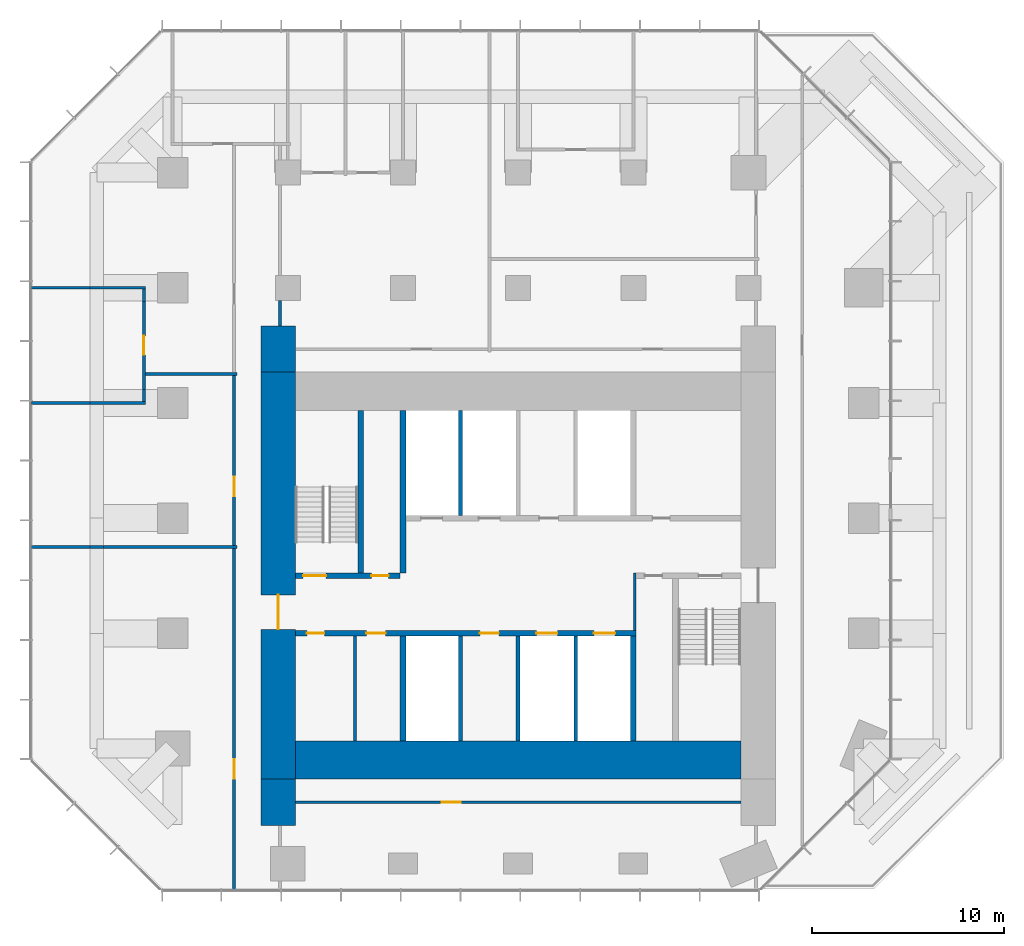
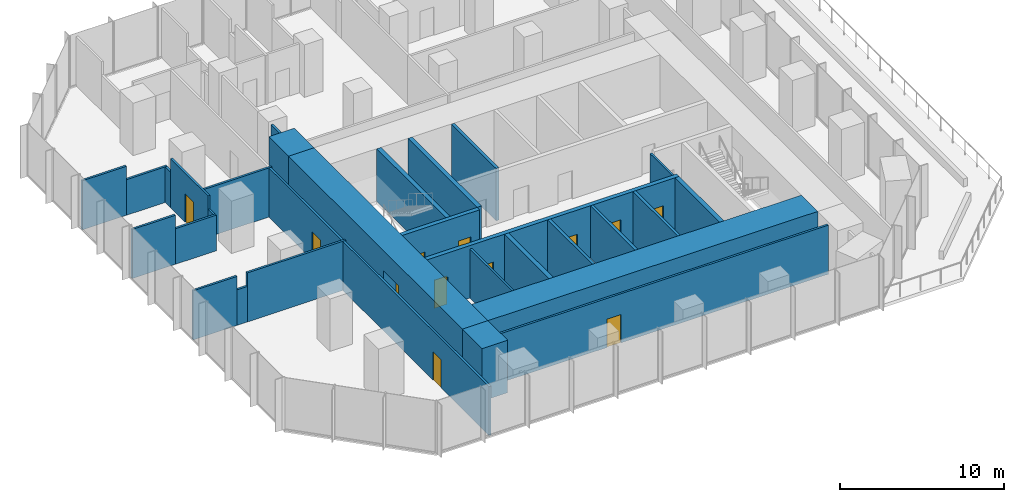
# One storey, part 8 of 11: 31 walls, 12 doors, 12 openings.
"""IFC4 building model written with IfcOpenShell, lengths in metres."""

from ifc_helpers import new_model, si_unit, direction, frame, frame_2d, origin, place, context, subcontext, project, spatial, rectangle, extrude, material, layer, layer_set, type_object, element, fill, save


model = new_model("IFC4")

# Units and contexts
model_context = context("Model", 3, precision=1e-05, world=origin(), true_north=direction((0.0, 1.0)))
body_context = subcontext(model_context, "Body", "Model", "MODEL_VIEW")
ifc_project = project(units=[si_unit("LENGTHUNIT", "METRE"), si_unit("AREAUNIT", "SQUARE_METRE"), si_unit("VOLUMEUNIT", "CUBIC_METRE"), si_unit("PLANEANGLEUNIT", "RADIAN"), si_unit("MASSUNIT", "GRAM", prefix="KILO")], contexts=[model_context])

# Site, building, storey
site_placement = place(None, origin())
site = spatial("IfcSite", under=ifc_project, at=site_placement, CompositionType="ELEMENT")
building_placement = place(site_placement, origin())
building = spatial("IfcBuilding", under=site, at=building_placement, Name="Highveld Stack Headquarters", CompositionType="ELEMENT")
storey_placement = place(building_placement, frame((0.0, 0.0, 188.89990234375)))
storey = spatial("IfcBuildingStorey", under=building, at=storey_placement, Name="L46", CompositionType="ELEMENT", Elevation=188.89990234375)

# Wall, opening, door
ifc_material_1 = material(Name="Concrete C60/75", Category="concrete")
ifc_layer_1 = layer(ifc_material_1, 1.800048828125)
ifc_layer_set_1 = layer_set([ifc_layer_1], Name="Concrete C60/75")
wall_type_1 = type_object("IfcWallType", Name="CORE WALL 1800 C60/75", PredefinedType="SHEAR", material=ifc_layer_set_1)
wall_1_placement = place(storey_placement, frame((-6.5, -7.60009765625, 0.0), z_axis=(0.0, 0.0, 1.0), x_axis=(0.0, 1.0, 0.0)))
wall_1 = element("IfcWall", 1, at=wall_1_placement, inside=storey, type_object=wall_type_1, Name="Core wall W L46", PredefinedType="SHEAR", context=body_context, shape_type="SweptSolid", body=[
    extrude(rectangle(XDim=21.2001953125, YDim=1.800048828125, at=frame_2d((10.60009765625, 0.0))), origin(), (0.0, 0.0, 1.0), 3.900146484375),
])
opening_1_placement = place(wall_1_placement, frame((7.800048828125, 0.0, 0.0)))
opening_1 = element("IfcOpeningElement", 2, at=opening_1_placement, cuts=wall_1, Name="Opening L46-02", PredefinedType="OPENING", context=body_context, shape_type="SweptSolid", body=[
    extrude(rectangle(XDim=1.800048828125, YDim=2.39990234375, at=frame_2d((0.89990234375, 1.199951171875))), frame((0.0, 0.909912109375, 0.0), z_axis=(0.0, -1.0, 0.0), x_axis=(1.0, 0.0, 0.0)), (0.0, 0.0, 1.0), 1.820068359375),
])
ifc_material_2 = material(Name="Steel fire door", Category="steel")
door_type_1 = type_object("IfcDoorType", Name="LOBBY FIRE DOOR D4 1800x2400", OperationType="DOUBLE_DOOR_SINGLE_SWING", PredefinedType="DOOR", material=ifc_material_2)
door_1_placement = place(opening_1_placement, origin())
door_1 = element("IfcDoor", 3, at=door_1_placement, inside=storey, type_object=door_type_1, Name="Core west door L46", OperationType="DOUBLE_DOOR_SINGLE_SWING", OverallHeight=2.39990234375, OverallWidth=1.800048828125, PredefinedType="DOOR", context=body_context, shape_type="SweptSolid", body=[
    extrude(rectangle(XDim=1.800048828125, YDim=2.39990234375, at=frame_2d((0.89990234375, 1.199951171875))), frame((0.0, 0.02490234375, 0.0), z_axis=(0.0, -1.0, 0.0), x_axis=(1.0, 0.0, 0.0)), (0.0, 0.0, 1.0), 0.050048828125),
])
fill(opening_1, door_1)

# Wall
ifc_material_3 = material(Name="Concrete C60/75", Category="concrete")
ifc_layer_2 = layer(ifc_material_3, 2.0)
ifc_layer_set_2 = layer_set([ifc_layer_2], Name="Concrete C60/75")
wall_type_2 = type_object("IfcWallType", Name="CORE WALL 2000 C60/75", PredefinedType="SHEAR", material=ifc_layer_set_2)
wall_2_placement = place(storey_placement, frame((-5.60009765625, -6.60009765625, 0.0), z_axis=(0.0, 0.0, 1.0), x_axis=(1.0, 0.0, 0.0)))
element("IfcWall", 4, at=wall_2_placement, inside=storey, type_object=wall_type_2, Name="Core wall S L46", PredefinedType="SHEAR", context=body_context, shape_type="SweptSolid", body=[
    extrude(rectangle(XDim=23.2001953125, YDim=2.0, at=frame_2d((11.60009765625, 0.0))), origin(), (0.0, 0.0, 1.0), 3.900146484375),
])

# Wall, openings, doors
ifc_material_4 = material(Name="Concrete C60/75", Category="concrete")
ifc_layer_3 = layer(ifc_material_4, 0.300048828125)
ifc_layer_set_3 = layer_set([ifc_layer_3], Name="Concrete C60/75")
wall_type_3 = type_object("IfcWallType", Name="CORE WALL 300 C60/75", PredefinedType="SHEAR", material=ifc_layer_set_3)
wall_3_placement = place(storey_placement, frame((-5.60009765625, 0.0, 0.0), z_axis=(0.0, 0.0, 1.0), x_axis=(1.0, 0.0, 0.0)))
wall_3 = element("IfcWall", 5, at=wall_3_placement, inside=storey, type_object=wall_type_3, Name="Core wall I-Y0 L46", PredefinedType="SHEAR", context=body_context, shape_type="SweptSolid", body=[
    extrude(rectangle(XDim=17.75, YDim=0.300048828125, at=frame_2d((8.875, 0.0))), origin(), (0.0, 0.0, 1.0), 3.900146484375),
])
opening_2_placement = place(wall_3_placement, frame((0.60009765625, 0.0, 0.0)))
opening_2 = element("IfcOpeningElement", 6, at=opening_2_placement, cuts=wall_3, Name="Opening L46-08", PredefinedType="OPENING", context=body_context, shape_type="SweptSolid", body=[
    extrude(rectangle(XDim=0.89990234375, YDim=2.10009765625, at=frame_2d((0.449951171875, 1.050048828125))), frame((0.0, 0.159912109375, 0.0), z_axis=(0.0, -1.0, 0.0), x_axis=(1.0, 0.0, 0.0)), (0.0, 0.0, 1.0), 0.320068359375),
])
opening_3_placement = place(wall_3_placement, frame((3.699951171875, 0.0, 0.0)))
opening_3 = element("IfcOpeningElement", 7, at=opening_3_placement, cuts=wall_3, Name="Opening L46-09", PredefinedType="OPENING", context=body_context, shape_type="SweptSolid", body=[
    extrude(rectangle(XDim=1.0, YDim=2.10009765625, at=frame_2d((0.5, 1.050048828125))), frame((0.0, 0.159912109375, 0.0), z_axis=(0.0, -1.0, 0.0), x_axis=(1.0, 0.0, 0.0)), (0.0, 0.0, 1.0), 0.320068359375),
])
opening_4_placement = place(wall_3_placement, frame((9.60009765625, 0.0, 0.0)))
opening_4 = element("IfcOpeningElement", 8, at=opening_4_placement, cuts=wall_3, Name="Opening L46-12", PredefinedType="OPENING", context=body_context, shape_type="SweptSolid", body=[
    extrude(rectangle(XDim=1.0, YDim=2.10009765625, at=frame_2d((0.5, 1.050048828125))), frame((0.0, 0.159912109375, 0.0), z_axis=(0.0, -1.0, 0.0), x_axis=(1.0, 0.0, 0.0)), (0.0, 0.0, 1.0), 0.320068359375),
])
opening_5_placement = place(wall_3_placement, frame((12.550048828125, 0.0, 0.0)))
opening_5 = element("IfcOpeningElement", 9, at=opening_5_placement, cuts=wall_3, Name="Opening LD", PredefinedType="OPENING", context=body_context, shape_type="SweptSolid", body=[
    extrude(rectangle(XDim=1.10009765625, YDim=2.10009765625, at=frame_2d((0.550048828125, 1.050048828125))), frame((0.0, 0.159912109375, 0.0), z_axis=(0.0, -1.0, 0.0), x_axis=(1.0, 0.0, 0.0)), (0.0, 0.0, 1.0), 0.320068359375),
])
opening_6_placement = place(wall_3_placement, frame((15.550048828125, 0.0, 0.0)))
opening_6 = element("IfcOpeningElement", 10, at=opening_6_placement, cuts=wall_3, Name="Opening LD", PredefinedType="OPENING", context=body_context, shape_type="SweptSolid", body=[
    extrude(rectangle(XDim=1.10009765625, YDim=2.10009765625, at=frame_2d((0.550048828125, 1.050048828125))), frame((0.0, 0.159912109375, 0.0), z_axis=(0.0, -1.0, 0.0), x_axis=(1.0, 0.0, 0.0)), (0.0, 0.0, 1.0), 0.320068359375),
])
ifc_material_5 = material(Name="Timber door, painted", Category="wood")
door_type_2 = type_object("IfcDoorType", Name="ACCESSIBLE WC DOOR D2 1000x2100", OperationType="SINGLE_SWING_RIGHT", PredefinedType="DOOR", material=ifc_material_5)
door_2_placement = place(opening_3_placement, origin())
door_2 = element("IfcDoor", 11, at=door_2_placement, inside=storey, type_object=door_type_2, Name="Accessible WC door L46", OperationType="SINGLE_SWING_LEFT", OverallHeight=2.10009765625, OverallWidth=1.0, PredefinedType="DOOR", context=body_context, shape_type="SweptSolid", body=[
    extrude(rectangle(XDim=1.0, YDim=2.10009765625, at=frame_2d((0.5, 1.050048828125))), frame((0.0, 0.02490234375, 0.0), z_axis=(0.0, -1.0, 0.0), x_axis=(1.0, 0.0, 0.0)), (0.0, 0.0, 1.0), 0.050048828125),
])
fill(opening_3, door_2)
ifc_material_6 = material(Name="Steel fire door", Category="steel")
door_type_3 = type_object("IfcDoorType", Name="CORE ROOM FIRE DOOR D14 1000x2100", OperationType="SINGLE_SWING_LEFT", PredefinedType="DOOR", material=ifc_material_6)
door_3_placement = place(opening_4_placement, origin())
door_3 = element("IfcDoor", 12, at=door_3_placement, inside=storey, type_object=door_type_3, Name="Capped B 1 door L46", OperationType="SINGLE_SWING_RIGHT", OverallHeight=2.10009765625, OverallWidth=1.0, PredefinedType="DOOR", context=body_context, shape_type="SweptSolid", body=[
    extrude(rectangle(XDim=1.0, YDim=2.10009765625, at=frame_2d((0.5, 1.050048828125))), frame((0.0, 0.02490234375, 0.0), z_axis=(0.0, -1.0, 0.0), x_axis=(1.0, 0.0, 0.0)), (0.0, 0.0, 1.0), 0.050048828125),
])
fill(opening_4, door_3)
ifc_material_7 = material(Name="Stainless steel lift landing door", Category="steel")
door_type_4 = type_object("IfcDoorType", Name="LIFT LANDING DOOR LD 1100x2100", OperationType="DOUBLE_DOOR_SLIDING", PredefinedType="USERDEFINED", material=ifc_material_7)
door_4_placement = place(opening_5_placement, origin())
door_4 = element("IfcDoor", 13, at=door_4_placement, inside=storey, type_object=door_type_4, Name="Lift landing door C1 L46", ObjectType="LIFT LANDING DOOR", OperationType="DOUBLE_DOOR_SLIDING", OverallHeight=2.10009765625, OverallWidth=1.10009765625, PredefinedType="USERDEFINED", context=body_context, shape_type="SweptSolid", body=[
    extrude(rectangle(XDim=1.10009765625, YDim=2.10009765625, at=frame_2d((0.550048828125, 1.050048828125))), frame((0.0, 0.02490234375, 0.0), z_axis=(0.0, -1.0, 0.0), x_axis=(1.0, 0.0, 0.0)), (0.0, 0.0, 1.0), 0.050048828125),
])
fill(opening_5, door_4)
door_5_placement = place(opening_6_placement, origin())
door_5 = element("IfcDoor", 14, at=door_5_placement, inside=storey, type_object=door_type_4, Name="Lift landing door C2 L46", ObjectType="LIFT LANDING DOOR", OperationType="DOUBLE_DOOR_SLIDING", OverallHeight=2.10009765625, OverallWidth=1.10009765625, PredefinedType="USERDEFINED", context=body_context, shape_type="SweptSolid", body=[
    extrude(rectangle(XDim=1.10009765625, YDim=2.10009765625, at=frame_2d((0.550048828125, 1.050048828125))), frame((0.0, 0.02490234375, 0.0), z_axis=(0.0, -1.0, 0.0), x_axis=(1.0, 0.0, 0.0)), (0.0, 0.0, 1.0), 0.050048828125),
])
fill(opening_6, door_5)
ifc_material_8 = material(Name="Timber door, painted", Category="wood")
door_type_5 = type_object("IfcDoorType", Name="WC DOOR D1 900x2100", OperationType="SINGLE_SWING_LEFT", PredefinedType="DOOR", material=ifc_material_8)
door_6_placement = place(opening_2_placement, origin())
door_6 = element("IfcDoor", 15, at=door_6_placement, inside=storey, type_object=door_type_5, Name="Female WC door L46", OperationType="SINGLE_SWING_LEFT", OverallHeight=2.10009765625, OverallWidth=0.89990234375, PredefinedType="DOOR", context=body_context, shape_type="SweptSolid", body=[
    extrude(rectangle(XDim=0.89990234375, YDim=2.10009765625, at=frame_2d((0.449951171875, 1.050048828125))), frame((0.0, 0.02490234375, 0.0), z_axis=(0.0, -1.0, 0.0), x_axis=(1.0, 0.0, 0.0)), (0.0, 0.0, 1.0), 0.050048828125),
])
fill(opening_2, door_6)

wall_4_placement = place(storey_placement, frame((-5.60009765625, 3.0, 0.0), z_axis=(0.0, 0.0, 1.0), x_axis=(1.0, 0.0, 0.0)))
wall_4 = element("IfcWall", 16, at=wall_4_placement, inside=storey, type_object=wall_type_3, Name="Core wall I-Y3W L46", PredefinedType="SHEAR", context=body_context, shape_type="SweptSolid", body=[
    extrude(rectangle(XDim=5.4501953125, YDim=0.300048828125, at=frame_2d((2.72509765625, 0.0))), origin(), (0.0, 0.0, 1.0), 3.900146484375),
])
opening_7_placement = place(wall_4_placement, frame((0.39990234375, 0.0, 0.0)))
opening_7 = element("IfcOpeningElement", 17, at=opening_7_placement, cuts=wall_4, Name="Opening L46-04", PredefinedType="OPENING", context=body_context, shape_type="SweptSolid", body=[
    extrude(rectangle(XDim=1.199951171875, YDim=2.10009765625, at=frame_2d((0.60009765625, 1.050048828125))), frame((0.0, 0.159912109375, 0.0), z_axis=(0.0, -1.0, 0.0), x_axis=(1.0, 0.0, 0.0)), (0.0, 0.0, 1.0), 0.320068359375),
])
opening_8_placement = place(wall_4_placement, frame((3.949951171875, 0.0, 0.0)))
opening_8 = element("IfcOpeningElement", 18, at=opening_8_placement, cuts=wall_4, Name="Opening L46-05", PredefinedType="OPENING", context=body_context, shape_type="SweptSolid", body=[
    extrude(rectangle(XDim=0.89990234375, YDim=2.10009765625, at=frame_2d((0.449951171875, 1.050048828125))), frame((0.0, 0.159912109375, 0.0), z_axis=(0.0, -1.0, 0.0), x_axis=(1.0, 0.0, 0.0)), (0.0, 0.0, 1.0), 0.320068359375),
])
ifc_material_9 = material(Name="Steel fire door", Category="steel")
door_type_6 = type_object("IfcDoorType", Name="RISER ACCESS DOOR D5 900x2100", OperationType="SINGLE_SWING_LEFT", PredefinedType="DOOR", material=ifc_material_9)
door_7_placement = place(opening_8_placement, origin())
door_7 = element("IfcDoor", 19, at=door_7_placement, inside=storey, type_object=door_type_6, Name="Riser R1 door L46", OperationType="SINGLE_SWING_RIGHT", OverallHeight=2.10009765625, OverallWidth=0.89990234375, PredefinedType="DOOR", context=body_context, shape_type="SweptSolid", body=[
    extrude(rectangle(XDim=0.89990234375, YDim=2.10009765625, at=frame_2d((0.449951171875, 1.050048828125))), frame((0.0, 0.02490234375, 0.0), z_axis=(0.0, -1.0, 0.0), x_axis=(1.0, 0.0, 0.0)), (0.0, 0.0, 1.0), 0.050048828125),
])
fill(opening_8, door_7)
ifc_material_10 = material(Name="Steel fire door", Category="steel")
door_type_7 = type_object("IfcDoorType", Name="STAIR FIRE DOOR D3 1200x2100", OperationType="SINGLE_SWING_LEFT", PredefinedType="DOOR", material=ifc_material_10)
door_8_placement = place(opening_7_placement, origin())
door_8 = element("IfcDoor", 20, at=door_8_placement, inside=storey, type_object=door_type_7, Name="Stair S1 door L46", OperationType="SINGLE_SWING_LEFT", OverallHeight=2.10009765625, OverallWidth=1.199951171875, PredefinedType="DOOR", context=body_context, shape_type="SweptSolid", body=[
    extrude(rectangle(XDim=1.199951171875, YDim=2.10009765625, at=frame_2d((0.60009765625, 1.050048828125))), frame((0.0, 0.02490234375, 0.0), z_axis=(0.0, -1.0, 0.0), x_axis=(1.0, 0.0, 0.0)), (0.0, 0.0, 1.0), 0.050048828125),
])
fill(opening_7, door_8)

# Walls
wall_5_placement = place(storey_placement, frame((0.0, -5.60009765625, 0.0), z_axis=(0.0, 0.0, 1.0), x_axis=(0.0, 1.0, 0.0)))
element("IfcWall", 21, at=wall_5_placement, inside=storey, type_object=wall_type_3, Name="Core wall I-X0S L46", PredefinedType="SHEAR", context=body_context, shape_type="SweptSolid", body=[
    extrude(rectangle(XDim=5.4501953125, YDim=0.300048828125, at=frame_2d((2.72509765625, 0.0))), origin(), (0.0, 0.0, 1.0), 3.900146484375),
])
wall_6_placement = place(storey_placement, frame((0.0, 3.14990234375, 0.0), z_axis=(0.0, 0.0, 1.0), x_axis=(0.0, 1.0, 0.0)))
element("IfcWall", 22, at=wall_6_placement, inside=storey, type_object=wall_type_3, Name="Core wall I-X0N L46", PredefinedType="SHEAR", context=body_context, shape_type="SweptSolid", body=[
    extrude(rectangle(XDim=8.4501953125, YDim=0.300048828125, at=frame_2d((4.22509765625, 0.0))), origin(), (0.0, 0.0, 1.0), 3.900146484375),
])
wall_7_placement = place(storey_placement, frame((12.0, -5.60009765625, 0.0), z_axis=(0.0, 0.0, 1.0), x_axis=(0.0, 1.0, 0.0)))
element("IfcWall", 23, at=wall_7_placement, inside=storey, type_object=wall_type_3, Name="Core wall I-X12S L46", PredefinedType="SHEAR", context=body_context, shape_type="SweptSolid", body=[
    extrude(rectangle(XDim=5.4501953125, YDim=0.300048828125, at=frame_2d((2.72509765625, 0.0))), origin(), (0.0, 0.0, 1.0), 3.900146484375),
])
wall_8_placement = place(storey_placement, frame((-2.199951171875, 3.14990234375, 0.0), z_axis=(0.0, 0.0, 1.0), x_axis=(0.0, 1.0, 0.0)))
element("IfcWall", 24, at=wall_8_placement, inside=storey, type_object=wall_type_3, Name="Core wall I-RW L46", PredefinedType="SHEAR", context=body_context, shape_type="SweptSolid", body=[
    extrude(rectangle(XDim=8.4501953125, YDim=0.300048828125, at=frame_2d((4.22509765625, 0.0))), origin(), (0.0, 0.0, 1.0), 3.900146484375),
])
ifc_material_11 = material(Name="Concrete C60/75", Category="concrete")
ifc_layer_4 = layer(ifc_material_11, 1.800048828125)
ifc_layer_set_4 = layer_set([ifc_layer_4], Name="Concrete C60/75")
wall_type_4 = type_object("IfcWallType", Name="CORE WING WALL 1800 C60/75", PredefinedType="SHEAR", material=ifc_layer_set_4)
for number, where, z_axis, x_axis, name in (
    (25, (-6.5, -10.0, 0.0), (0.0, 0.0, 1.0), (0.0, 1.0, 0.0), "Core wing wall WS L46"),
    (26, (-6.5, 13.60009765625, 0.0), (0.0, 0.0, 1.0), (0.0, 1.0, 0.0), "Core wing wall WN L46"),
):
    element("IfcWall", number, at=place(storey_placement, frame(where, z_axis=z_axis, x_axis=x_axis)), inside=storey, type_object=wall_type_4, Name=name, PredefinedType="SHEAR", context=body_context, shape_type="SweptSolid", body=[
        extrude(rectangle(XDim=2.39990234375, YDim=1.800048828125, at=frame_2d((1.199951171875, 0.0))), origin(), (0.0, 0.0, 1.0), 3.900146484375),
    ])
ifc_material_12 = material(Name="Concrete blockwork, plastered", Category="masonry")
ifc_layer_5 = layer(ifc_material_12, 0.14990234375)
ifc_layer_set_5 = layer_set([ifc_layer_5], Name="Concrete blockwork, plastered")
wall_type_5 = type_object("IfcWallType", Name="FIRE PARTITION 150 BLOCKWORK", PredefinedType="PARTITIONING", material=ifc_layer_set_5)
wall_9_placement = place(storey_placement, frame((12.074951171875, 0.14990234375, 0.0), z_axis=(0.0, 0.0, 1.0), x_axis=(0.0, 1.0, 0.0)))
element("IfcWall", 27, at=wall_9_placement, inside=storey, type_object=wall_type_5, Name="Riser R2 enclosure L46", PredefinedType="PARTITIONING", context=body_context, shape_type="SweptSolid", body=[
    extrude(rectangle(XDim=3.0, YDim=0.14990234375, at=frame_2d((1.5, 0.0))), origin(), (0.0, 0.0, 1.0), 3.650146484375),
])
ifc_material_13 = material(Name="Concrete blockwork, fair-faced", Category="masonry")
ifc_layer_6 = layer(ifc_material_13, 0.199951171875)
ifc_layer_set_6 = layer_set([ifc_layer_6], Name="Concrete blockwork, fair-faced")
wall_type_6 = type_object("IfcWallType", Name="LIFT SHAFT ENCLOSURE WALL 200 BLOCKWORK", PredefinedType="SOLIDWALL", material=ifc_layer_set_6)
for number, where, z_axis, x_axis, name in (
    (28, (3.0, 6.14990234375, 0.0), (0.0, 0.0, 1.0), (0.0, 1.0, 0.0), "Lift shaft wall L46"),
    (29, (3.0, -5.60009765625, 0.0), (0.0, 0.0, 1.0), (0.0, 1.0, 0.0), "Lift shaft wall L46"),
    (30, (6.0, -5.60009765625, 0.0), (0.0, 0.0, 1.0), (0.0, 1.0, 0.0), "Lift shaft wall L46"),
    (31, (9.0, -5.60009765625, 0.0), (0.0, 0.0, 1.0), (0.0, 1.0, 0.0), "Lift shaft wall L46"),
):
    element("IfcWall", number, at=place(storey_placement, frame(where, z_axis=z_axis, x_axis=x_axis)), inside=storey, type_object=wall_type_6, Name=name, PredefinedType="SOLIDWALL", context=body_context, shape_type="SweptSolid", body=[
        extrude(rectangle(XDim=5.4501953125, YDim=0.199951171875, at=frame_2d((2.72509765625, 0.0))), origin(), (0.0, 0.0, 1.0), 3.900146484375),
    ])
ifc_material_14 = material(Name="Gypsum plasterboard on steel studs", Category="steel")
ifc_layer_7 = layer(ifc_material_14, 0.14990234375)
ifc_layer_set_7 = layer_set([ifc_layer_7], Name="Gypsum plasterboard on steel studs")
wall_type_7 = type_object("IfcWallType", Name="PARTITION 150 PLASTERBOARD", PredefinedType="PARTITIONING", material=ifc_layer_set_7)
wall_10_placement = place(storey_placement, frame((-19.35009765625, 12.0, 0.0), z_axis=(0.0, 0.0, 1.0), x_axis=(1.0, 0.0, 0.0)))
element("IfcWall", 32, at=wall_10_placement, inside=storey, type_object=wall_type_7, Name="Partition Quiet room L46", PredefinedType="PARTITIONING", context=body_context, shape_type="SweptSolid", body=[
    extrude(rectangle(XDim=3.0400390625, YDim=0.14990234375, at=frame_2d((1.52001953125, 0.0))), origin(), (0.0, 0.0, 1.0), 3.650146484375),
])
wall_11_placement = place(storey_placement, frame((-16.31005859375, 12.0, 0.0), z_axis=(0.0, 0.0, 1.0), x_axis=(1.0, 0.0, 0.0)))
element("IfcWall", 33, at=wall_11_placement, inside=storey, type_object=wall_type_7, Name="Partition Quiet room L46", PredefinedType="PARTITIONING", context=body_context, shape_type="SweptSolid", body=[
    extrude(rectangle(XDim=2.885009765625, YDim=0.14990234375, at=frame_2d((1.4423828125, 0.0))), origin(), (0.0, 0.0, 1.0), 2.650146484375),
])
wall_12_placement = place(storey_placement, frame((-19.39990234375, 18.0, 0.0), z_axis=(0.0, 0.0, 1.0), x_axis=(1.0, 0.0, 0.0)))
element("IfcWall", 34, at=wall_12_placement, inside=storey, type_object=wall_type_7, Name="Partition Quiet room L46", PredefinedType="PARTITIONING", context=body_context, shape_type="SweptSolid", body=[
    extrude(rectangle(XDim=3.08984375, YDim=0.14990234375, at=frame_2d((1.544921875, 0.0))), origin(), (0.0, 0.0, 1.0), 3.650146484375),
])
wall_13_placement = place(storey_placement, frame((-16.31005859375, 18.0, 0.0), z_axis=(0.0, 0.0, 1.0), x_axis=(1.0, 0.0, 0.0)))
element("IfcWall", 35, at=wall_13_placement, inside=storey, type_object=wall_type_7, Name="Partition Quiet room L46", PredefinedType="PARTITIONING", context=body_context, shape_type="SweptSolid", body=[
    extrude(rectangle(XDim=2.885009765625, YDim=0.14990234375, at=frame_2d((1.4423828125, 0.0))), origin(), (0.0, 0.0, 1.0), 2.650146484375),
])
wall_14_placement = place(storey_placement, frame((-13.5, 12.074951171875, 0.0), z_axis=(0.0, 0.0, 1.0), x_axis=(0.0, 1.0, 0.0)))
element("IfcWall", 36, at=wall_14_placement, inside=storey, type_object=wall_type_7, Name="Partition Quiet room L46", PredefinedType="PARTITIONING", context=body_context, shape_type="SweptSolid", body=[
    extrude(rectangle(XDim=0.635009765625, YDim=0.14990234375, at=frame_2d((0.3173828125, 0.0))), origin(), (0.0, 0.0, 1.0), 2.650146484375),
])

# Wall, opening, door
wall_15_placement = place(storey_placement, frame((-13.5, 12.7099609375, 0.0), z_axis=(0.0, 0.0, 1.0), x_axis=(0.0, 1.0, 0.0)))
wall_15 = element("IfcWall", 37, at=wall_15_placement, inside=storey, type_object=wall_type_7, Name="Partition Quiet room L46", PredefinedType="PARTITIONING", context=body_context, shape_type="SweptSolid", body=[
    extrude(rectangle(XDim=4.580078125, YDim=0.14990234375, at=frame_2d((2.2900390625, 0.0))), origin(), (0.0, 0.0, 1.0), 3.650146484375),
])
opening_9_placement = place(wall_15_placement, frame((1.7900390625, 0.0, 0.0)))
opening_9 = element("IfcOpeningElement", 38, at=opening_9_placement, cuts=wall_15, Name="Opening L46-13", PredefinedType="OPENING", context=body_context, shape_type="SweptSolid", body=[
    extrude(rectangle(XDim=1.0, YDim=2.10009765625, at=frame_2d((0.5, 1.050048828125))), frame((0.0, 0.0849609375, 0.0), z_axis=(0.0, -1.0, 0.0), x_axis=(1.0, 0.0, 0.0)), (0.0, 0.0, 1.0), 0.169921875),
])
ifc_material_15 = material(Name="Timber door, oiled ash", Category="wood")
door_type_8 = type_object("IfcDoorType", Name="ROOM DOOR D6 1000x2100", OperationType="SINGLE_SWING_LEFT", PredefinedType="DOOR", material=ifc_material_15)
door_9_placement = place(opening_9_placement, origin())
door_9 = element("IfcDoor", 39, at=door_9_placement, inside=storey, type_object=door_type_8, Name="Quiet room door 1 L46", OperationType="SINGLE_SWING_LEFT", OverallHeight=2.10009765625, OverallWidth=1.0, PredefinedType="DOOR", context=body_context, shape_type="SweptSolid", body=[
    extrude(rectangle(XDim=1.0, YDim=2.10009765625, at=frame_2d((0.5, 1.050048828125))), frame((0.0, 0.02490234375, 0.0), z_axis=(0.0, -1.0, 0.0), x_axis=(1.0, 0.0, 0.0)), (0.0, 0.0, 1.0), 0.050048828125),
])
fill(opening_9, door_9)

# Walls
wall_16_placement = place(storey_placement, frame((-13.5, 17.2900390625, 0.0), z_axis=(0.0, 0.0, 1.0), x_axis=(0.0, 1.0, 0.0)))
element("IfcWall", 40, at=wall_16_placement, inside=storey, type_object=wall_type_7, Name="Partition Quiet room L46", PredefinedType="PARTITIONING", context=body_context, shape_type="SweptSolid", body=[
    extrude(rectangle(XDim=0.635009765625, YDim=0.14990234375, at=frame_2d((0.3173828125, 0.0))), origin(), (0.0, 0.0, 1.0), 2.650146484375),
])
wall_17_placement = place(storey_placement, frame((-19.39990234375, 4.5, 0.0), z_axis=(0.0, 0.0, 1.0), x_axis=(1.0, 0.0, 0.0)))
element("IfcWall", 41, at=wall_17_placement, inside=storey, type_object=wall_type_7, Name="Partition office neighbourhood L46", PredefinedType="PARTITIONING", context=body_context, shape_type="SweptSolid", body=[
    extrude(rectangle(XDim=3.08984375, YDim=0.14990234375, at=frame_2d((1.544921875, 0.0))), origin(), (0.0, 0.0, 1.0), 3.650146484375),
])
wall_18_placement = place(storey_placement, frame((-16.31005859375, 4.5, 0.0), z_axis=(0.0, 0.0, 1.0), x_axis=(1.0, 0.0, 0.0)))
element("IfcWall", 42, at=wall_18_placement, inside=storey, type_object=wall_type_7, Name="Partition office neighbourhood L46", PredefinedType="PARTITIONING", context=body_context, shape_type="SweptSolid", body=[
    extrude(rectangle(XDim=0.719970703125, YDim=0.14990234375, at=frame_2d((0.35986328125, 0.0))), origin(), (0.0, 0.0, 1.0), 2.650146484375),
])
wall_19_placement = place(storey_placement, frame((-15.590087890625, 4.5, 0.0), z_axis=(0.0, 0.0, 1.0), x_axis=(1.0, 0.0, 0.0)))
element("IfcWall", 43, at=wall_19_placement, inside=storey, type_object=wall_type_7, Name="Partition office neighbourhood L46", PredefinedType="PARTITIONING", context=body_context, shape_type="SweptSolid", body=[
    extrude(rectangle(XDim=6.940185546875, YDim=0.14990234375, at=frame_2d((3.47021484375, 0.0))), origin(), (0.0, 0.0, 1.0), 3.650146484375),
])
wall_20_placement = place(storey_placement, frame((-13.425048828125, 13.5, 0.0), z_axis=(0.0, 0.0, 1.0), x_axis=(1.0, 0.0, 0.0)))
element("IfcWall", 44, at=wall_20_placement, inside=storey, type_object=wall_type_7, Name="Partition office neighbourhood L46", PredefinedType="PARTITIONING", context=body_context, shape_type="SweptSolid", body=[
    extrude(rectangle(XDim=4.775146484375, YDim=0.14990234375, at=frame_2d((2.3876953125, 0.0))), origin(), (0.0, 0.0, 1.0), 3.650146484375),
])

# Wall, opening, door
wall_21_placement = place(storey_placement, frame((-8.800048828125, -13.39990234375, 0.0), z_axis=(0.0, 0.0, 1.0), x_axis=(0.0, 1.0, 0.0)))
wall_21 = element("IfcWall", 45, at=wall_21_placement, inside=storey, type_object=wall_type_7, Name="Partition office neighbourhood L46", PredefinedType="PARTITIONING", context=body_context, shape_type="SweptSolid", body=[
    extrude(rectangle(XDim=17.824951171875, YDim=0.14990234375, at=frame_2d((8.91259765625, 0.0))), origin(), (0.0, 0.0, 1.0), 3.650146484375),
])
opening_10_placement = place(wall_21_placement, frame((5.830078125, 0.0, 0.0)))
opening_10 = element("IfcOpeningElement", 46, at=opening_10_placement, cuts=wall_21, Name="Opening L46-19", PredefinedType="OPENING", context=body_context, shape_type="SweptSolid", body=[
    extrude(rectangle(XDim=1.0, YDim=2.10009765625, at=frame_2d((0.5, 1.050048828125))), frame((0.0, 0.0849609375, 0.0), z_axis=(0.0, -1.0, 0.0), x_axis=(1.0, 0.0, 0.0)), (0.0, 0.0, 1.0), 0.169921875),
])
door_10_placement = place(opening_10_placement, origin())
door_10 = element("IfcDoor", 47, at=door_10_placement, inside=storey, type_object=door_type_8, Name="Office neighbourhood door L46", OperationType="SINGLE_SWING_LEFT", OverallHeight=2.10009765625, OverallWidth=1.0, PredefinedType="DOOR", context=body_context, shape_type="SweptSolid", body=[
    extrude(rectangle(XDim=1.0, YDim=2.10009765625, at=frame_2d((0.5, 1.050048828125))), frame((0.0, 0.02490234375, 0.0), z_axis=(0.0, -1.0, 0.0), x_axis=(1.0, 0.0, 0.0)), (0.0, 0.0, 1.0), 0.050048828125),
])
fill(opening_10, door_10)

wall_22_placement = place(storey_placement, frame((-8.800048828125, 4.574951171875, 0.0), z_axis=(0.0, 0.0, 1.0), x_axis=(0.0, 1.0, 0.0)))
wall_22 = element("IfcWall", 48, at=wall_22_placement, inside=storey, type_object=wall_type_7, Name="Partition office neighbourhood L46", PredefinedType="PARTITIONING", context=body_context, shape_type="SweptSolid", body=[
    extrude(rectangle(XDim=8.85009765625, YDim=0.14990234375, at=frame_2d((4.425048828125, 0.0))), origin(), (0.0, 0.0, 1.0), 3.650146484375),
])
opening_11_placement = place(wall_22_placement, frame((2.574951171875, 0.0, 0.0)))
opening_11 = element("IfcOpeningElement", 49, at=opening_11_placement, cuts=wall_22, Name="Opening L46-20", PredefinedType="OPENING", context=body_context, shape_type="SweptSolid", body=[
    extrude(rectangle(XDim=1.0, YDim=2.10009765625, at=frame_2d((0.5, 1.050048828125))), frame((0.0, 0.0849609375, 0.0), z_axis=(0.0, -1.0, 0.0), x_axis=(1.0, 0.0, 0.0)), (0.0, 0.0, 1.0), 0.169921875),
])
door_11_placement = place(opening_11_placement, origin())
door_11 = element("IfcDoor", 50, at=door_11_placement, inside=storey, type_object=door_type_8, Name="Office neighbourhood door L46", OperationType="SINGLE_SWING_LEFT", OverallHeight=2.10009765625, OverallWidth=1.0, PredefinedType="DOOR", context=body_context, shape_type="SweptSolid", body=[
    extrude(rectangle(XDim=1.0, YDim=2.10009765625, at=frame_2d((0.5, 1.050048828125))), frame((0.0, 0.02490234375, 0.0), z_axis=(0.0, -1.0, 0.0), x_axis=(1.0, 0.0, 0.0)), (0.0, 0.0, 1.0), 0.050048828125),
])
fill(opening_11, door_11)

# Wall
wall_23_placement = place(storey_placement, frame((-6.39990234375, 16.0, 0.0), z_axis=(0.0, 0.0, 1.0), x_axis=(0.0, 1.0, 0.0)))
element("IfcWall", 51, at=wall_23_placement, inside=storey, type_object=wall_type_7, Name="Partition office neighbourhood L46", PredefinedType="PARTITIONING", context=body_context, shape_type="SweptSolid", body=[
    extrude(rectangle(XDim=1.35009765625, YDim=0.14990234375, at=frame_2d((0.675048828125, 0.0))), origin(), (0.0, 0.0, 1.0), 3.650146484375),
])

# Wall, opening, door
wall_24_placement = place(storey_placement, frame((-5.60009765625, -8.800048828125, 0.0), z_axis=(0.0, 0.0, 1.0), x_axis=(1.0, 0.0, 0.0)))
wall_24 = element("IfcWall", 52, at=wall_24_placement, inside=storey, type_object=wall_type_7, Name="Partition office neighbourhood L46", PredefinedType="PARTITIONING", context=body_context, shape_type="SweptSolid", body=[
    extrude(rectangle(XDim=23.2001953125, YDim=0.14990234375, at=frame_2d((11.60009765625, 0.0))), origin(), (0.0, 0.0, 1.0), 3.650146484375),
])
opening_12_placement = place(wall_24_placement, frame((7.6201171875, 0.0, 0.0)))
opening_12 = element("IfcOpeningElement", 53, at=opening_12_placement, cuts=wall_24, Name="Opening L46-18", PredefinedType="OPENING", context=body_context, shape_type="SweptSolid", body=[
    extrude(rectangle(XDim=1.0, YDim=2.10009765625, at=frame_2d((0.5, 1.050048828125))), frame((0.0, 0.0849609375, 0.0), z_axis=(0.0, -1.0, 0.0), x_axis=(1.0, 0.0, 0.0)), (0.0, 0.0, 1.0), 0.169921875),
])
door_12_placement = place(opening_12_placement, origin())
door_12 = element("IfcDoor", 54, at=door_12_placement, inside=storey, type_object=door_type_8, Name="Office neighbourhood door L46", OperationType="SINGLE_SWING_LEFT", OverallHeight=2.10009765625, OverallWidth=1.0, PredefinedType="DOOR", context=body_context, shape_type="SweptSolid", body=[
    extrude(rectangle(XDim=1.0, YDim=2.10009765625, at=frame_2d((0.5, 1.050048828125))), frame((0.0, 0.02490234375, 0.0), z_axis=(0.0, -1.0, 0.0), x_axis=(1.0, 0.0, 0.0)), (0.0, 0.0, 1.0), 0.050048828125),
])
fill(opening_12, door_12)

# Wall
ifc_material_16 = material(Name="Concrete blockwork, tiled", Category="masonry")
ifc_layer_8 = layer(ifc_material_16, 0.14990234375)
ifc_layer_set_8 = layer_set([ifc_layer_8], Name="Concrete blockwork, tiled")
wall_type_8 = type_object("IfcWallType", Name="WC PARTITION 150", PredefinedType="PLUMBINGWALL", material=ifc_layer_set_8)
wall_25_placement = place(storey_placement, frame((-2.5, -5.60009765625, 0.0), z_axis=(0.0, 0.0, 1.0), x_axis=(0.0, 1.0, 0.0)))
element("IfcWall", 55, at=wall_25_placement, inside=storey, type_object=wall_type_8, Name="Toilet partition L46", PredefinedType="PLUMBINGWALL", context=body_context, shape_type="SweptSolid", body=[
    extrude(rectangle(XDim=5.4501953125, YDim=0.14990234375, at=frame_2d((2.72509765625, 0.0))), origin(), (0.0, 0.0, 1.0), 3.650146484375),
])

save(model, "model.ifc")
